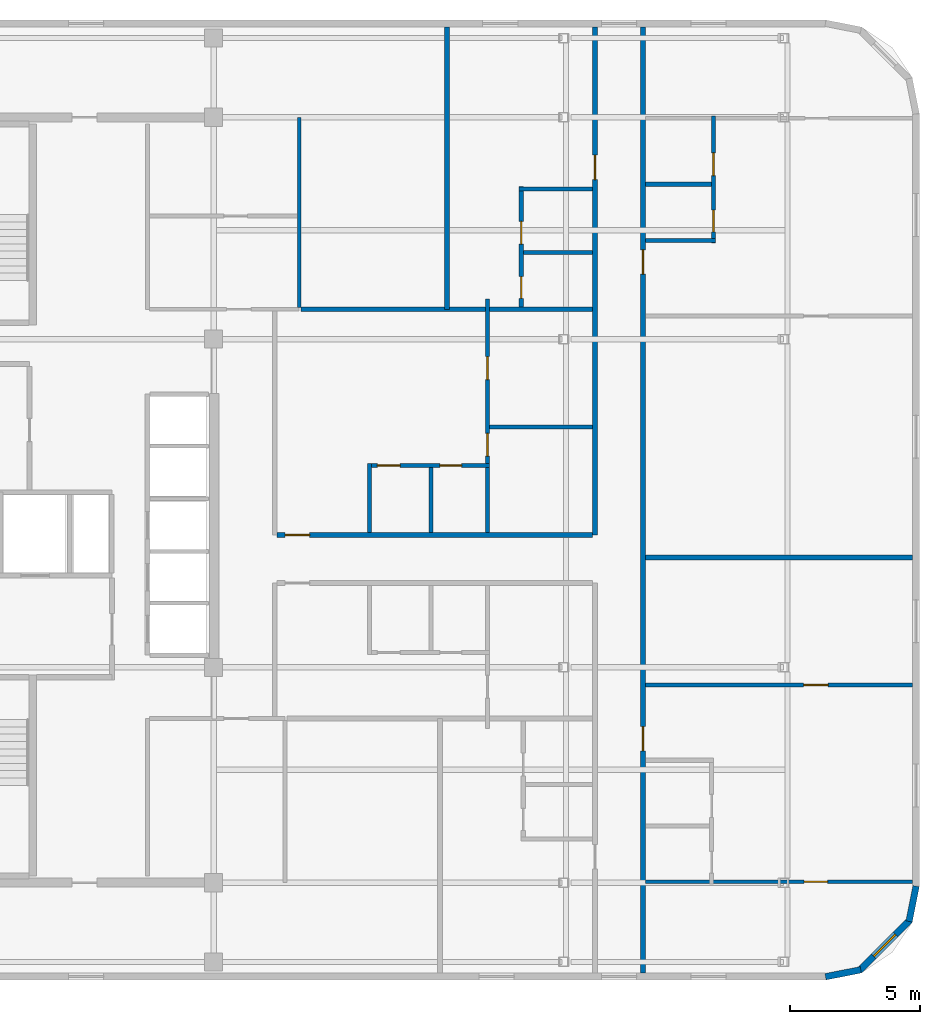
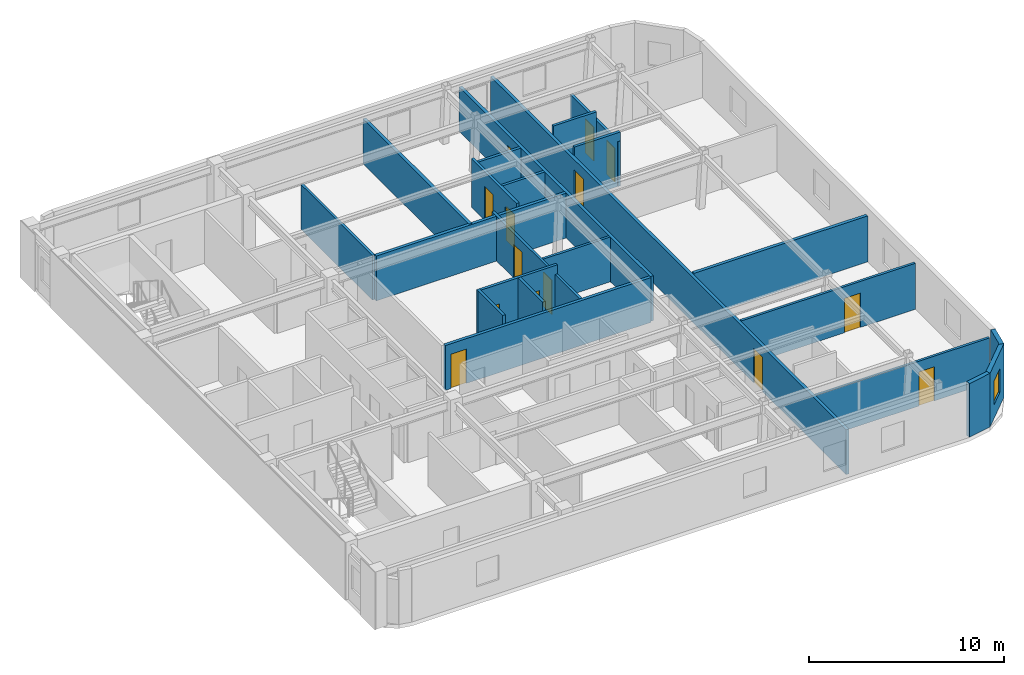
# One storey, part 4 of 6: 23 walls, 14 doors, 1 window, 15 openings.
"""IFC4 building model written with IfcOpenShell, lengths in metres."""

from ifc_helpers import new_model, si_unit, direction, frame, frame_2d, origin, place, context, subcontext, project, spatial, rectangle, extrude, material, layer, layer_set, type_object, element, fill, save


model = new_model("IFC4")

# Units and contexts
model_context = context("Model", 3, precision=1e-05, world=origin(), true_north=direction((0.0, 1.0)))
body_context = subcontext(model_context, "Body", "Model", "MODEL_VIEW")
ifc_project = project(units=[si_unit("LENGTHUNIT", "METRE"), si_unit("AREAUNIT", "SQUARE_METRE"), si_unit("VOLUMEUNIT", "CUBIC_METRE"), si_unit("PLANEANGLEUNIT", "RADIAN"), si_unit("MASSUNIT", "GRAM", prefix="KILO")], contexts=[model_context])

# Site, building, storey
site_placement = place(None, origin())
site = spatial("IfcSite", under=ifc_project, at=site_placement, CompositionType="ELEMENT")
building_placement = place(site_placement, origin())
building = spatial("IfcBuilding", under=site, at=building_placement, Name="Ochreholt Gables", CompositionType="ELEMENT")
storey_placement = place(building_placement, frame((0.0, 0.0, 249.60009765625)))
storey = spatial("IfcBuildingStorey", under=building, at=storey_placement, Name="L65", CompositionType="ELEMENT", Elevation=249.60009765625)

# Wall
ifc_material_1 = material(Name="Precast concrete 40 MPa", Category="concrete")
ifc_layer_1 = layer(ifc_material_1, 0.25, Name="Precast concrete 40 MPa")
ifc_layer_set_1 = layer_set([ifc_layer_1], Name="Precast concrete 40 MPa")
wall_type_1 = type_object("IfcWallType", Name="WALL-EXT-CNR", PredefinedType="SOLIDWALL", material=ifc_layer_set_1)
wall_1_placement = place(storey_placement, frame((58.783447265625, 5.624267578125, 0.0), z_axis=(0.0, 0.0, 1.0), x_axis=(0.980809899341, 0.19496651342, 0.0)))
element("IfcWall", 1, at=wall_1_placement, inside=storey, type_object=wall_type_1, Name="L65 Rounded Corner Wall SE-1", PredefinedType="SOLIDWALL", context=body_context, shape_type="SweptSolid", body=[
    extrude(rectangle(XDim=1.388671875, YDim=0.25, at=frame_2d((0.6943359375, 0.0))), origin(), (0.0, 0.0, 1.0), 3.35986328125),
])

# Wall, opening, window
wall_2_placement = place(storey_placement, frame((60.094970703125, 5.867919921875, 0.0), z_axis=(0.0, 0.0, 1.0), x_axis=(0.707106781187, 0.707106781187, 0.0)))
wall_2 = element("IfcWall", 2, at=wall_2_placement, inside=storey, type_object=wall_type_1, Name="L65 Rounded Corner Wall SE-2", PredefinedType="SOLIDWALL", context=body_context, shape_type="SweptSolid", body=[
    extrude(rectangle(XDim=2.7392578125, YDim=0.25, at=frame_2d((1.36962890625, 0.0))), origin(), (0.0, 0.0, 1.0), 3.35986328125),
])
opening_1_placement = place(wall_2_placement, frame((0.769775390625, 0.0, 0.85009765625)))
opening_1 = element("IfcOpeningElement", 3, at=opening_1_placement, cuts=wall_2, Name="Opening WN-3", PredefinedType="OPENING", context=body_context, shape_type="SweptSolid", body=[
    extrude(rectangle(XDim=1.199951171875, YDim=1.5, at=frame_2d((0.60009765625, 0.75))), frame((0.0, 0.135009765625, 0.0), z_axis=(0.0, -1.0, 0.0), x_axis=(1.0, 0.0, 0.0)), (0.0, 0.0, 1.0), 0.27001953125),
])
ifc_material_2 = material(Name="Triple-Glazed Thermally Broken Aluminium Window", Category="aluminium")
window_type = type_object("IfcWindowType", Name="WIN-RES-1200", PartitioningType="SINGLE_PANEL", PredefinedType="WINDOW", material=ifc_material_2)
window_placement = place(opening_1_placement, origin())
window = element("IfcWindow", 4, at=window_placement, inside=storey, type_object=window_type, Name="L65 Corner Bedroom Window SE", OverallHeight=1.5, OverallWidth=1.199951171875, PartitioningType="SINGLE_PANEL", PredefinedType="WINDOW", context=body_context, shape_type="SweptSolid", body=[
    extrude(rectangle(XDim=1.199951171875, YDim=1.5, at=frame_2d((0.60009765625, 0.75))), frame((0.0, 0.030029296875, 0.0), z_axis=(0.0, -1.0, 0.0), x_axis=(1.0, 0.0, 0.0)), (0.0, 0.0, 1.0), 0.06005859375),
])
fill(opening_1, window)

# Wall
wall_3_placement = place(storey_placement, frame((62.0048828125, 7.75439453125, 0.0), z_axis=(0.0, 0.0, 1.0), x_axis=(0.195135625965, 0.9807762678, 0.0)))
element("IfcWall", 5, at=wall_3_placement, inside=storey, type_object=wall_type_1, Name="L65 Rounded Corner Wall SE-3", PredefinedType="SOLIDWALL", context=body_context, shape_type="SweptSolid", body=[
    extrude(rectangle(XDim=1.388671875, YDim=0.25, at=frame_2d((0.6943359375, 0.0))), origin(), (0.0, 0.0, 1.0), 3.35986328125),
])

# Wall, opening, door
ifc_material_3 = material(Name="Fire-Rated Gypsum Acoustic Partition", Category="gypsum")
ifc_layer_2 = layer(ifc_material_3, 0.179931640625, Name="Fire-Rated Gypsum Acoustic Partition")
ifc_layer_set_2 = layer_set([ifc_layer_2], Name="Fire-Rated Gypsum Acoustic Partition")
wall_type_2 = type_object("IfcWallType", Name="WALL-INT-CR180", PredefinedType="STANDARD", material=ifc_layer_set_2)
wall_4_placement = place(storey_placement, frame((49.89990234375, 22.64990234375, 0.0), z_axis=(0.0, 0.0, 1.0), x_axis=(0.0, 1.0, 0.0)))
wall_4 = element("IfcWall", 6, at=wall_4_placement, inside=storey, type_object=wall_type_2, Name="L65 Interior Wall WI-C3GW2-L65", PredefinedType="STANDARD", context=body_context, shape_type="SweptSolid", body=[
    extrude(rectangle(XDim=19.580078125, YDim=0.179931640625, at=frame_2d((9.7900390625, 0.0))), origin(), (0.0, 0.0, 1.0), 2.802978515625),
])
opening_2_placement = place(wall_4_placement, frame((13.699951171875, 0.0, 0.0)))
opening_2 = element("IfcOpeningElement", 7, at=opening_2_placement, cuts=wall_4, Name="Opening D-UN2", PredefinedType="OPENING", context=body_context, shape_type="SweptSolid", body=[
    extrude(rectangle(XDim=0.93994140625, YDim=2.14990234375, at=frame_2d((0.469970703125, 1.074951171875))), frame((0.0, 0.099853515625, 0.0), z_axis=(0.0, -1.0, 0.0), x_axis=(1.0, 0.0, 0.0)), (0.0, 0.0, 1.0), 0.199951171875),
])
ifc_material_4 = material(Name="Engineered Oak Timber", Category="wood")
door_type_1 = type_object("IfcDoorType", Name="DR-INT-UNT940", OperationType="NOTDEFINED", PredefinedType="DOOR", material=ifc_material_4)
door_1_placement = place(opening_2_placement, origin())
door_1 = element("IfcDoor", 8, at=door_1_placement, inside=storey, type_object=door_type_1, Name="L65 Door D-U-L65NM2-ENT", OperationType="SINGLE_SWING_LEFT", OverallHeight=2.14990234375, OverallWidth=0.93994140625, PredefinedType="DOOR", context=body_context, shape_type="SweptSolid", body=[
    extrude(rectangle(XDim=0.93994140625, YDim=2.14990234375, at=frame_2d((0.469970703125, 1.074951171875))), frame((0.0, 0.02490234375, 0.0), z_axis=(0.0, -1.0, 0.0), x_axis=(1.0, 0.0, 0.0)), (0.0, 0.0, 1.0), 0.050048828125),
])
fill(opening_2, door_1)

wall_5_placement = place(storey_placement, frame((37.639892578125, 22.64990234375, 0.0), z_axis=(0.0, 0.0, 1.0), x_axis=(1.0, 0.0, 0.0)))
wall_5 = element("IfcWall", 9, at=wall_5_placement, inside=storey, type_object=wall_type_2, Name="L65 Interior Wall WI-C3BRN1-L65", PredefinedType="STANDARD", context=body_context, shape_type="SweptSolid", body=[
    extrude(rectangle(XDim=12.170166015625, YDim=0.179931640625, at=frame_2d((6.0849609375, 0.0))), origin(), (0.0, 0.0, 1.0), 2.802978515625),
])
opening_3_placement = place(wall_5_placement, frame((0.320068359375, 0.0, 0.0)))
opening_3 = element("IfcOpeningElement", 10, at=opening_3_placement, cuts=wall_5, Name="Opening D-UN2", PredefinedType="OPENING", context=body_context, shape_type="SweptSolid", body=[
    extrude(rectangle(XDim=0.93994140625, YDim=2.14990234375, at=frame_2d((0.469970703125, 1.074951171875))), frame((0.0, 0.099853515625, 0.0), z_axis=(0.0, -1.0, 0.0), x_axis=(1.0, 0.0, 0.0)), (0.0, 0.0, 1.0), 0.199951171875),
])
door_2_placement = place(opening_3_placement, origin())
door_2 = element("IfcDoor", 11, at=door_2_placement, inside=storey, type_object=door_type_1, Name="L65 Door D-U-L65NM1-ENT", OperationType="SINGLE_SWING_RIGHT", OverallHeight=2.14990234375, OverallWidth=0.93994140625, PredefinedType="DOOR", context=body_context, shape_type="SweptSolid", body=[
    extrude(rectangle(XDim=0.93994140625, YDim=2.14990234375, at=frame_2d((0.469970703125, 1.074951171875))), frame((0.0, 0.02490234375, 0.0), z_axis=(0.0, -1.0, 0.0), x_axis=(1.0, 0.0, 0.0)), (0.0, 0.0, 1.0), 0.050048828125),
])
fill(opening_3, door_2)

# Wall, openings, doors
wall_6_placement = place(storey_placement, frame((51.75, 5.77001953125, 0.0), z_axis=(0.0, 0.0, 1.0), x_axis=(0.0, 1.0, 0.0)))
wall_6 = element("IfcWall", 12, at=wall_6_placement, inside=storey, type_object=wall_type_2, Name="L65 Interior Wall WI-C3GE-L65", PredefinedType="STANDARD", context=body_context, shape_type="SweptSolid", body=[
    extrude(rectangle(XDim=36.4599609375, YDim=0.179931640625, at=frame_2d((18.22998046875, 0.0))), origin(), (0.0, 0.0, 1.0), 2.802978515625),
])
opening_4_placement = place(wall_6_placement, frame((8.55859375, 0.0, 0.0)))
opening_4 = element("IfcOpeningElement", 13, at=opening_4_placement, cuts=wall_6, Name="Opening D-UN2", PredefinedType="OPENING", context=body_context, shape_type="SweptSolid", body=[
    extrude(rectangle(XDim=0.93994140625, YDim=2.14990234375, at=frame_2d((0.469970703125, 1.074951171875))), frame((0.0, 0.099853515625, 0.0), z_axis=(0.0, -1.0, 0.0), x_axis=(1.0, 0.0, 0.0)), (0.0, 0.0, 1.0), 0.199951171875),
])
opening_5_placement = place(wall_6_placement, frame((26.93310546875, 0.0, 0.0)))
opening_5 = element("IfcOpeningElement", 14, at=opening_5_placement, cuts=wall_6, Name="Opening D-UN2", PredefinedType="OPENING", context=body_context, shape_type="SweptSolid", body=[
    extrude(rectangle(XDim=0.93994140625, YDim=2.14990234375, at=frame_2d((0.469970703125, 1.074951171875))), frame((0.0, 0.099853515625, 0.0), z_axis=(0.0, -1.0, 0.0), x_axis=(1.0, 0.0, 0.0)), (0.0, 0.0, 1.0), 0.199951171875),
])
door_3_placement = place(opening_4_placement, origin())
door_3 = element("IfcDoor", 15, at=door_3_placement, inside=storey, type_object=door_type_1, Name="L65 Door D-U-L65E1-ENT", OperationType="SINGLE_SWING_RIGHT", OverallHeight=2.14990234375, OverallWidth=0.93994140625, PredefinedType="DOOR", context=body_context, shape_type="SweptSolid", body=[
    extrude(rectangle(XDim=0.93994140625, YDim=2.14990234375, at=frame_2d((0.469970703125, 1.074951171875))), frame((0.0, 0.02490234375, 0.0), z_axis=(0.0, -1.0, 0.0), x_axis=(1.0, 0.0, 0.0)), (0.0, 0.0, 1.0), 0.050048828125),
])
fill(opening_4, door_3)
door_4_placement = place(opening_5_placement, origin())
door_4 = element("IfcDoor", 16, at=door_4_placement, inside=storey, type_object=door_type_1, Name="L65 Door D-U-L65E2-ENT", OperationType="SINGLE_SWING_LEFT", OverallHeight=2.14990234375, OverallWidth=0.93994140625, PredefinedType="DOOR", context=body_context, shape_type="SweptSolid", body=[
    extrude(rectangle(XDim=0.93994140625, YDim=2.14990234375, at=frame_2d((0.469970703125, 1.074951171875))), frame((0.0, 0.02490234375, 0.0), z_axis=(0.0, -1.0, 0.0), x_axis=(1.0, 0.0, 0.0)), (0.0, 0.0, 1.0), 0.050048828125),
])
fill(opening_5, door_4)

# Walls
ifc_material_5 = material(Name="Double-Stud Acoustic Demising Wall", Category="gypsum")
ifc_layer_3 = layer(ifc_material_5, 0.18505859375, Name="Double-Stud Acoustic Demising Wall")
ifc_layer_set_3 = layer_set([ifc_layer_3], Name="Double-Stud Acoustic Demising Wall")
wall_type_3 = type_object("IfcWallType", Name="WALL-INT-DM185", PredefinedType="PARTITIONING", material=ifc_layer_set_3)
wall_7_placement = place(storey_placement, frame((51.840087890625, 21.780029296875, 0.0), z_axis=(0.0, 0.0, 1.0), x_axis=(1.0, 0.0, 0.0)))
element("IfcWall", 17, at=wall_7_placement, inside=storey, type_object=wall_type_3, Name="L65 Interior Wall WI-C3UDE2-L65", PredefinedType="PARTITIONING", context=body_context, shape_type="SweptSolid", body=[
    extrude(rectangle(XDim=10.289794921875, YDim=0.18505859375, at=frame_2d((5.14501953125, 0.0))), origin(), (0.0, 0.0, 1.0), 2.87890625),
])
wall_8_placement = place(storey_placement, frame((44.199951171875, 31.35009765625, 0.0), z_axis=(0.0, 0.0, 1.0), x_axis=(0.0, 1.0, 0.0)))
element("IfcWall", 18, at=wall_8_placement, inside=storey, type_object=wall_type_3, Name="L65 Interior Wall WI-C3NMX-L65", PredefinedType="PARTITIONING", context=body_context, shape_type="SweptSolid", body=[
    extrude(rectangle(XDim=10.8798828125, YDim=0.18505859375, at=frame_2d((5.43994140625, 0.0))), origin(), (0.0, 0.0, 1.0), 2.802978515625),
])
wall_9_placement = place(storey_placement, frame((38.572509765625, 31.35009765625, 0.0), z_axis=(0.0, 0.0, 1.0), x_axis=(1.0, 0.0, 0.0)))
element("IfcWall", 19, at=wall_9_placement, inside=storey, type_object=wall_type_3, Name="L65 Interior Wall WI-C3NMY-L65", PredefinedType="PARTITIONING", context=body_context, shape_type="SweptSolid", body=[
    extrude(rectangle(XDim=11.237548828125, YDim=0.18505859375, at=frame_2d((5.61865234375, 0.0))), origin(), (0.0, 0.0, 1.0), 2.802978515625),
])
ifc_material_6 = material(Name="Moisture-Resistant Plumbing Chase Wall", Category="gypsum")
ifc_layer_4 = layer(ifc_material_6, 0.159912109375, Name="Moisture-Resistant Plumbing Chase Wall")
ifc_layer_set_4 = layer_set([ifc_layer_4], Name="Moisture-Resistant Plumbing Chase Wall")
wall_type_4 = type_object("IfcWallType", Name="WALL-INT-PL160", PredefinedType="PLUMBINGWALL", material=ifc_layer_set_4)
wall_10_placement = place(storey_placement, frame((51.840087890625, 34.0029296875, 0.0), z_axis=(0.0, 0.0, 1.0), x_axis=(1.0, 0.0, 0.0)))
element("IfcWall", 20, at=wall_10_placement, inside=storey, type_object=wall_type_4, Name="L65 Interior Wall WU-L65E2-FYS", PredefinedType="PLUMBINGWALL", context=body_context, shape_type="SweptSolid", body=[
    extrude(rectangle(XDim=2.7119140625, YDim=0.159912109375, at=frame_2d((1.35595703125, 0.0))), origin(), (0.0, 0.0, 1.0), 3.35986328125),
])

# Wall, openings, doors
wall_11_placement = place(storey_placement, frame((54.471923828125, 33.9130859375, 0.0), z_axis=(0.0, 0.0, 1.0), x_axis=(0.0, 1.0, 0.0)))
wall_11 = element("IfcWall", 21, at=wall_11_placement, inside=storey, type_object=wall_type_4, Name="L65 Interior Wall WU-L65E2-WX", PredefinedType="PLUMBINGWALL", context=body_context, shape_type="SweptSolid", body=[
    extrude(rectangle(XDim=4.886962890625, YDim=0.159912109375, at=frame_2d((2.443359375, 0.0))), origin(), (0.0, 0.0, 1.0), 2.802978515625),
])
opening_6_placement = place(wall_11_placement, frame((0.419921875, 0.0, 0.0)))
opening_6 = element("IfcOpeningElement", 22, at=opening_6_placement, cuts=wall_11, Name="Opening D-BT2", PredefinedType="OPENING", context=body_context, shape_type="SweptSolid", body=[
    extrude(rectangle(XDim=0.840087890625, YDim=2.1201171875, at=frame_2d((0.419921875, 1.06005859375))), frame((0.0, 0.08984375, 0.0), z_axis=(0.0, -1.0, 0.0), x_axis=(1.0, 0.0, 0.0)), (0.0, 0.0, 1.0), 0.179931640625),
])
opening_7_placement = place(wall_11_placement, frame((2.585205078125, 0.0, 0.0)))
opening_7 = element("IfcOpeningElement", 23, at=opening_7_placement, cuts=wall_11, Name="Opening D-GN2", PredefinedType="OPENING", context=body_context, shape_type="SweptSolid", body=[
    extrude(rectangle(XDim=0.8798828125, YDim=2.1201171875, at=frame_2d((0.43994140625, 1.06005859375))), frame((0.0, 0.08984375, 0.0), z_axis=(0.0, -1.0, 0.0), x_axis=(1.0, 0.0, 0.0)), (0.0, 0.0, 1.0), 0.179931640625),
])
door_type_2 = type_object("IfcDoorType", Name="DR-INT-BTH840", OperationType="NOTDEFINED", PredefinedType="DOOR", material=ifc_material_4)
door_5_placement = place(opening_6_placement, origin())
door_5 = element("IfcDoor", 24, at=door_5_placement, inside=storey, type_object=door_type_2, Name="L65 Door D-U-L65E2-BTH", OperationType="SINGLE_SWING_RIGHT", OverallHeight=2.1201171875, OverallWidth=0.840087890625, PredefinedType="DOOR", context=body_context, shape_type="SweptSolid", body=[
    extrude(rectangle(XDim=0.840087890625, YDim=2.1201171875, at=frame_2d((0.419921875, 1.06005859375))), frame((0.0, 0.02490234375, 0.0), z_axis=(0.0, -1.0, 0.0), x_axis=(1.0, 0.0, 0.0)), (0.0, 0.0, 1.0), 0.050048828125),
])
fill(opening_6, door_5)
door_type_3 = type_object("IfcDoorType", Name="DR-INT-GEN880", OperationType="NOTDEFINED", PredefinedType="DOOR", material=ifc_material_4)
door_6_placement = place(opening_7_placement, origin())
door_6 = element("IfcDoor", 25, at=door_6_placement, inside=storey, type_object=door_type_3, Name="L65 Door D-U-L65E2-KIT", OperationType="SINGLE_SWING_LEFT", OverallHeight=2.1201171875, OverallWidth=0.8798828125, PredefinedType="DOOR", context=body_context, shape_type="SweptSolid", body=[
    extrude(rectangle(XDim=0.8798828125, YDim=2.1201171875, at=frame_2d((0.43994140625, 1.06005859375))), frame((0.0, 0.02490234375, 0.0), z_axis=(0.0, -1.0, 0.0), x_axis=(1.0, 0.0, 0.0)), (0.0, 0.0, 1.0), 0.050048828125),
])
fill(opening_7, door_6)

# Wall
wall_12_placement = place(storey_placement, frame((51.840087890625, 36.168212890625, 0.0), z_axis=(0.0, 0.0, 1.0), x_axis=(1.0, 0.0, 0.0)))
element("IfcWall", 26, at=wall_12_placement, inside=storey, type_object=wall_type_4, Name="L65 Interior Wall WU-L65E2-WK", PredefinedType="PLUMBINGWALL", context=body_context, shape_type="SweptSolid", body=[
    extrude(rectangle(XDim=2.552001953125, YDim=0.159912109375, at=frame_2d((1.27587890625, 0.0))), origin(), (0.0, 0.0, 1.0), 3.35986328125),
])

# Wall, openings, doors
wall_13_placement = place(storey_placement, frame((41.1298828125, 25.33251953125, 0.0), z_axis=(0.0, 0.0, 1.0), x_axis=(1.0, 0.0, 0.0)))
wall_13 = element("IfcWall", 27, at=wall_13_placement, inside=storey, type_object=wall_type_4, Name="L65 Interior Wall WU-L65NM1-WY", PredefinedType="PLUMBINGWALL", context=body_context, shape_type="SweptSolid", body=[
    extrude(rectangle(XDim=4.710205078125, YDim=0.159912109375, at=frame_2d((2.35498046875, 0.0))), origin(), (0.0, 0.0, 1.0), 3.35986328125),
])
opening_8_placement = place(wall_13_placement, frame((0.3798828125, 0.0, 0.0)))
opening_8 = element("IfcOpeningElement", 28, at=opening_8_placement, cuts=wall_13, Name="Opening D-GN2", PredefinedType="OPENING", context=body_context, shape_type="SweptSolid", body=[
    extrude(rectangle(XDim=0.8798828125, YDim=2.1201171875, at=frame_2d((0.43994140625, 1.06005859375))), frame((0.0, 0.08984375, 0.0), z_axis=(0.0, -1.0, 0.0), x_axis=(1.0, 0.0, 0.0)), (0.0, 0.0, 1.0), 0.179931640625),
])
opening_9_placement = place(wall_13_placement, frame((2.785888671875, 0.0, 0.0)))
opening_9 = element("IfcOpeningElement", 29, at=opening_9_placement, cuts=wall_13, Name="Opening D-BT2", PredefinedType="OPENING", context=body_context, shape_type="SweptSolid", body=[
    extrude(rectangle(XDim=0.840087890625, YDim=2.1201171875, at=frame_2d((0.419921875, 1.06005859375))), frame((0.0, 0.08984375, 0.0), z_axis=(0.0, -1.0, 0.0), x_axis=(1.0, 0.0, 0.0)), (0.0, 0.0, 1.0), 0.179931640625),
])
door_7_placement = place(opening_9_placement, origin())
door_7 = element("IfcDoor", 30, at=door_7_placement, inside=storey, type_object=door_type_2, Name="L65 Door D-U-L65NM1-BTH", OperationType="SINGLE_SWING_RIGHT", OverallHeight=2.1201171875, OverallWidth=0.840087890625, PredefinedType="DOOR", context=body_context, shape_type="SweptSolid", body=[
    extrude(rectangle(XDim=0.840087890625, YDim=2.1201171875, at=frame_2d((0.419921875, 1.06005859375))), frame((0.0, 0.02490234375, 0.0), z_axis=(0.0, -1.0, 0.0), x_axis=(1.0, 0.0, 0.0)), (0.0, 0.0, 1.0), 0.050048828125),
])
fill(opening_9, door_7)
door_8_placement = place(opening_8_placement, origin())
door_8 = element("IfcDoor", 31, at=door_8_placement, inside=storey, type_object=door_type_3, Name="L65 Door D-U-L65NM1-KIT", OperationType="SINGLE_SWING_LEFT", OverallHeight=2.1201171875, OverallWidth=0.8798828125, PredefinedType="DOOR", context=body_context, shape_type="SweptSolid", body=[
    extrude(rectangle(XDim=0.8798828125, YDim=2.1201171875, at=frame_2d((0.43994140625, 1.06005859375))), frame((0.0, 0.02490234375, 0.0), z_axis=(0.0, -1.0, 0.0), x_axis=(1.0, 0.0, 0.0)), (0.0, 0.0, 1.0), 0.050048828125),
])
fill(opening_8, door_8)

# Walls
wall_14_placement = place(storey_placement, frame((41.2099609375, 22.739990234375, 0.0), z_axis=(0.0, 0.0, 1.0), x_axis=(0.0, 1.0, 0.0)))
element("IfcWall", 32, at=wall_14_placement, inside=storey, type_object=wall_type_4, Name="L65 Interior Wall WU-L65NM1-FY", PredefinedType="PLUMBINGWALL", context=body_context, shape_type="SweptSolid", body=[
    extrude(rectangle(XDim=2.672607421875, YDim=0.159912109375, at=frame_2d((1.33642578125, 0.0))), origin(), (0.0, 0.0, 1.0), 3.35986328125),
])
wall_15_placement = place(storey_placement, frame((43.575927734375, 22.739990234375, 0.0), z_axis=(0.0, 0.0, 1.0), x_axis=(0.0, 1.0, 0.0)))
element("IfcWall", 33, at=wall_15_placement, inside=storey, type_object=wall_type_4, Name="L65 Interior Wall WU-L65NM1-WK", PredefinedType="PLUMBINGWALL", context=body_context, shape_type="SweptSolid", body=[
    extrude(rectangle(XDim=2.512451171875, YDim=0.159912109375, at=frame_2d((1.25634765625, 0.0))), origin(), (0.0, 0.0, 1.0), 3.35986328125),
])
wall_16_placement = place(storey_placement, frame((46.97607421875, 35.989990234375, 0.0), z_axis=(0.0, 0.0, 1.0), x_axis=(1.0, 0.0, 0.0)))
element("IfcWall", 34, at=wall_16_placement, inside=storey, type_object=wall_type_4, Name="L65 Interior Wall WU-L65NM2-WYN", PredefinedType="PLUMBINGWALL", context=body_context, shape_type="SweptSolid", body=[
    extrude(rectangle(XDim=2.833984375, YDim=0.159912109375, at=frame_2d((1.4169921875, 0.0))), origin(), (0.0, 0.0, 1.0), 2.802978515625),
])

# Wall, openings, doors
wall_17_placement = place(storey_placement, frame((47.055908203125, 31.4423828125, 0.0), z_axis=(0.0, 0.0, 1.0), x_axis=(0.0, 1.0, 0.0)))
wall_17 = element("IfcWall", 35, at=wall_17_placement, inside=storey, type_object=wall_type_4, Name="L65 Interior Wall WU-L65NM2-WX", PredefinedType="PLUMBINGWALL", context=body_context, shape_type="SweptSolid", body=[
    extrude(rectangle(XDim=4.6376953125, YDim=0.159912109375, at=frame_2d((2.31884765625, 0.0))), origin(), (0.0, 0.0, 1.0), 3.038818359375),
])
opening_10_placement = place(wall_17_placement, frame((0.327392578125, 0.0, 0.0)))
opening_10 = element("IfcOpeningElement", 36, at=opening_10_placement, cuts=wall_17, Name="Opening D-BT2", PredefinedType="OPENING", context=body_context, shape_type="SweptSolid", body=[
    extrude(rectangle(XDim=0.840087890625, YDim=2.1201171875, at=frame_2d((0.419921875, 1.06005859375))), frame((0.0, 0.08984375, 0.0), z_axis=(0.0, -1.0, 0.0), x_axis=(1.0, 0.0, 0.0)), (0.0, 0.0, 1.0), 0.179931640625),
])
opening_11_placement = place(wall_17_placement, frame((2.42041015625, 0.0, 0.0)))
opening_11 = element("IfcOpeningElement", 37, at=opening_11_placement, cuts=wall_17, Name="Opening D-GN2", PredefinedType="OPENING", context=body_context, shape_type="SweptSolid", body=[
    extrude(rectangle(XDim=0.8798828125, YDim=2.1201171875, at=frame_2d((0.43994140625, 1.06005859375))), frame((0.0, 0.08984375, 0.0), z_axis=(0.0, -1.0, 0.0), x_axis=(1.0, 0.0, 0.0)), (0.0, 0.0, 1.0), 0.179931640625),
])
door_9_placement = place(opening_10_placement, origin())
door_9 = element("IfcDoor", 38, at=door_9_placement, inside=storey, type_object=door_type_2, Name="L65 Door D-U-L65NM2-BTH", OperationType="SINGLE_SWING_RIGHT", OverallHeight=2.1201171875, OverallWidth=0.840087890625, PredefinedType="DOOR", context=body_context, shape_type="SweptSolid", body=[
    extrude(rectangle(XDim=0.840087890625, YDim=2.1201171875, at=frame_2d((0.419921875, 1.06005859375))), frame((0.0, 0.02490234375, 0.0), z_axis=(0.0, -1.0, 0.0), x_axis=(1.0, 0.0, 0.0)), (0.0, 0.0, 1.0), 0.050048828125),
])
fill(opening_10, door_9)
door_10_placement = place(opening_11_placement, origin())
door_10 = element("IfcDoor", 39, at=door_10_placement, inside=storey, type_object=door_type_3, Name="L65 Door D-U-L65NM2-KIT", OperationType="SINGLE_SWING_LEFT", OverallHeight=2.1201171875, OverallWidth=0.8798828125, PredefinedType="DOOR", context=body_context, shape_type="SweptSolid", body=[
    extrude(rectangle(XDim=0.8798828125, YDim=2.1201171875, at=frame_2d((0.43994140625, 1.06005859375))), frame((0.0, 0.02490234375, 0.0), z_axis=(0.0, -1.0, 0.0), x_axis=(1.0, 0.0, 0.0)), (0.0, 0.0, 1.0), 0.050048828125),
])
fill(opening_11, door_10)

# Walls
wall_18_placement = place(storey_placement, frame((47.135986328125, 33.532958984375, 0.0), z_axis=(0.0, 0.0, 1.0), x_axis=(1.0, 0.0, 0.0)))
element("IfcWall", 40, at=wall_18_placement, inside=storey, type_object=wall_type_4, Name="L65 Interior Wall WU-L65NM2-WM", PredefinedType="PLUMBINGWALL", context=body_context, shape_type="SweptSolid", body=[
    extrude(rectangle(XDim=2.674072265625, YDim=0.159912109375, at=frame_2d((1.3369140625, 0.0))), origin(), (0.0, 0.0, 1.0), 2.802978515625),
])
ifc_material_7 = material(Name="Lightweight Stud Partition", Category="gypsum")
ifc_layer_5 = layer(ifc_material_7, 0.14501953125, Name="Lightweight Stud Partition")
ifc_layer_set_5 = layer_set([ifc_layer_5], Name="Lightweight Stud Partition")
wall_type_5 = type_object("IfcWallType", Name="WALL-INT-PT145", PredefinedType="PARTITIONING", material=ifc_layer_set_5)
wall_19_placement = place(storey_placement, frame((38.5, 31.422607421875, 0.0), z_axis=(0.0, 0.0, 1.0), x_axis=(0.0, 1.0, 0.0)))
element("IfcWall", 41, at=wall_19_placement, inside=storey, type_object=wall_type_5, Name="L65 Interior Wall WI-RCM-E-L65", PredefinedType="PARTITIONING", context=body_context, shape_type="SweptSolid", body=[
    extrude(rectangle(XDim=7.327392578125, YDim=0.14501953125, at=frame_2d((3.66357421875, 0.0))), origin(), (0.0, 0.0, 1.0), 2.802978515625),
])

# Wall, opening, door
wall_20_placement = place(storey_placement, frame((51.840087890625, 9.2900390625, 0.0), z_axis=(0.0, 0.0, 1.0), x_axis=(1.0, 0.0, 0.0)))
wall_20 = element("IfcWall", 42, at=wall_20_placement, inside=storey, type_object=wall_type_5, Name="L65 Interior Wall WU-L65E1-MN", PredefinedType="PARTITIONING", context=body_context, shape_type="SweptSolid", body=[
    extrude(rectangle(XDim=10.289794921875, YDim=0.14501953125, at=frame_2d((5.14501953125, 0.0))), origin(), (0.0, 0.0, 1.0), 2.802978515625),
])
opening_12_placement = place(wall_20_placement, frame((6.123046875, 0.0, 0.0)))
opening_12 = element("IfcOpeningElement", 43, at=opening_12_placement, cuts=wall_20, Name="Opening D-BD1", PredefinedType="OPENING", context=body_context, shape_type="SweptSolid", body=[
    extrude(rectangle(XDim=0.89990234375, YDim=2.139892578125, at=frame_2d((0.449951171875, 1.06982421875))), frame((0.0, 0.08251953125, 0.0), z_axis=(0.0, -1.0, 0.0), x_axis=(1.0, 0.0, 0.0)), (0.0, 0.0, 1.0), 0.1650390625),
])
door_type_4 = type_object("IfcDoorType", Name="DR-INT-BED900", OperationType="NOTDEFINED", PredefinedType="DOOR", material=ifc_material_4)
door_11_placement = place(opening_12_placement, origin())
door_11 = element("IfcDoor", 44, at=door_11_placement, inside=storey, type_object=door_type_4, Name="L65 Door D-U-L65E1-BD1", OperationType="SINGLE_SWING_LEFT", OverallHeight=2.139892578125, OverallWidth=0.89990234375, PredefinedType="DOOR", context=body_context, shape_type="SweptSolid", body=[
    extrude(rectangle(XDim=0.89990234375, YDim=2.139892578125, at=frame_2d((0.449951171875, 1.06982421875))), frame((0.0, 0.02490234375, 0.0), z_axis=(0.0, -1.0, 0.0), x_axis=(1.0, 0.0, 0.0)), (0.0, 0.0, 1.0), 0.050048828125),
])
fill(opening_12, door_11)

wall_21_placement = place(storey_placement, frame((51.840087890625, 16.868896484375, 0.0), z_axis=(0.0, 0.0, 1.0), x_axis=(1.0, 0.0, 0.0)))
wall_21 = element("IfcWall", 45, at=wall_21_placement, inside=storey, type_object=wall_type_5, Name="L65 Interior Wall WU-L65E1-DNW", PredefinedType="PARTITIONING", context=body_context, shape_type="SweptSolid", body=[
    extrude(rectangle(XDim=10.289794921875, YDim=0.14501953125, at=frame_2d((5.14501953125, 0.0))), origin(), (0.0, 0.0, 1.0), 2.87890625),
])
opening_13_placement = place(wall_21_placement, frame((6.094970703125, 0.0, 0.0)))
opening_13 = element("IfcOpeningElement", 46, at=opening_13_placement, cuts=wall_21, Name="Opening D-GN1", PredefinedType="OPENING", context=body_context, shape_type="SweptSolid", body=[
    extrude(rectangle(XDim=0.949951171875, YDim=2.14990234375, at=frame_2d((0.47509765625, 1.074951171875))), frame((0.0, 0.08251953125, 0.0), z_axis=(0.0, -1.0, 0.0), x_axis=(1.0, 0.0, 0.0)), (0.0, 0.0, 1.0), 0.1650390625),
])
door_type_5 = type_object("IfcDoorType", Name="DR-INT-GEN950", OperationType="NOTDEFINED", PredefinedType="DOOR", material=ifc_material_4)
door_12_placement = place(opening_13_placement, origin())
door_12 = element("IfcDoor", 47, at=door_12_placement, inside=storey, type_object=door_type_5, Name="L65 Door D-U-L65E1-DIN", OperationType="SINGLE_SWING_LEFT", OverallHeight=2.14990234375, OverallWidth=0.949951171875, PredefinedType="DOOR", context=body_context, shape_type="SweptSolid", body=[
    extrude(rectangle(XDim=0.949951171875, YDim=2.14990234375, at=frame_2d((0.47509765625, 1.074951171875))), frame((0.0, 0.02490234375, 0.0), z_axis=(0.0, -1.0, 0.0), x_axis=(1.0, 0.0, 0.0)), (0.0, 0.0, 1.0), 0.050048828125),
])
fill(opening_13, door_12)

# Wall, openings, doors
wall_22_placement = place(storey_placement, frame((45.760009765625, 22.739990234375, 0.0), z_axis=(0.0, 0.0, 1.0), x_axis=(0.0, 1.0, 0.0)))
wall_22 = element("IfcWall", 48, at=wall_22_placement, inside=storey, type_object=wall_type_5, Name="L65 Interior Wall WU-L65NM1-MNX", PredefinedType="PARTITIONING", context=body_context, shape_type="SweptSolid", body=[
    extrude(rectangle(XDim=9.0, YDim=0.14501953125, at=frame_2d((4.5, 0.0))), origin(), (0.0, 0.0, 1.0), 2.802978515625),
])
opening_14_placement = place(wall_22_placement, frame((2.952392578125, 0.0, 0.0)))
opening_14 = element("IfcOpeningElement", 49, at=opening_14_placement, cuts=wall_22, Name="Opening D-BD2", PredefinedType="OPENING", context=body_context, shape_type="SweptSolid", body=[
    extrude(rectangle(XDim=0.8798828125, YDim=2.139892578125, at=frame_2d((0.43994140625, 1.06982421875))), frame((0.0, 0.08251953125, 0.0), z_axis=(0.0, -1.0, 0.0), x_axis=(1.0, 0.0, 0.0)), (0.0, 0.0, 1.0), 0.1650390625),
])
opening_15_placement = place(wall_22_placement, frame((5.9013671875, 0.0, 0.0)))
opening_15 = element("IfcOpeningElement", 50, at=opening_15_placement, cuts=wall_22, Name="Opening D-GN2", PredefinedType="OPENING", context=body_context, shape_type="SweptSolid", body=[
    extrude(rectangle(XDim=0.8798828125, YDim=2.1201171875, at=frame_2d((0.43994140625, 1.06005859375))), frame((0.0, 0.08251953125, 0.0), z_axis=(0.0, -1.0, 0.0), x_axis=(1.0, 0.0, 0.0)), (0.0, 0.0, 1.0), 0.1650390625),
])
door_type_6 = type_object("IfcDoorType", Name="DR-INT-BED880", OperationType="NOTDEFINED", PredefinedType="DOOR", material=ifc_material_4)
door_13_placement = place(opening_14_placement, origin())
door_13 = element("IfcDoor", 51, at=door_13_placement, inside=storey, type_object=door_type_6, Name="L65 Door D-U-L65NM1-BD1", OperationType="SINGLE_SWING_RIGHT", OverallHeight=2.139892578125, OverallWidth=0.8798828125, PredefinedType="DOOR", context=body_context, shape_type="SweptSolid", body=[
    extrude(rectangle(XDim=0.8798828125, YDim=2.139892578125, at=frame_2d((0.43994140625, 1.06982421875))), frame((0.0, 0.02490234375, 0.0), z_axis=(0.0, -1.0, 0.0), x_axis=(1.0, 0.0, 0.0)), (0.0, 0.0, 1.0), 0.050048828125),
])
fill(opening_14, door_13)
door_14_placement = place(opening_15_placement, origin())
door_14 = element("IfcDoor", 52, at=door_14_placement, inside=storey, type_object=door_type_3, Name="L65 Door D-U-L65NM1-BD2", OperationType="SINGLE_SWING_LEFT", OverallHeight=2.1201171875, OverallWidth=0.8798828125, PredefinedType="DOOR", context=body_context, shape_type="SweptSolid", body=[
    extrude(rectangle(XDim=0.8798828125, YDim=2.1201171875, at=frame_2d((0.43994140625, 1.06005859375))), frame((0.0, 0.02490234375, 0.0), z_axis=(0.0, -1.0, 0.0), x_axis=(1.0, 0.0, 0.0)), (0.0, 0.0, 1.0), 0.050048828125),
])
fill(opening_15, door_14)

# Wall
wall_23_placement = place(storey_placement, frame((45.840087890625, 26.8125, 0.0), z_axis=(0.0, 0.0, 1.0), x_axis=(1.0, 0.0, 0.0)))
element("IfcWall", 53, at=wall_23_placement, inside=storey, type_object=wall_type_5, Name="L65 Interior Wall WU-L65NM1-RDV", PredefinedType="PARTITIONING", context=body_context, shape_type="SweptSolid", body=[
    extrude(rectangle(XDim=3.969970703125, YDim=0.14501953125, at=frame_2d((1.98486328125, 0.0))), origin(), (0.0, 0.0, 1.0), 2.802978515625),
])

save(model, "model.ifc")
